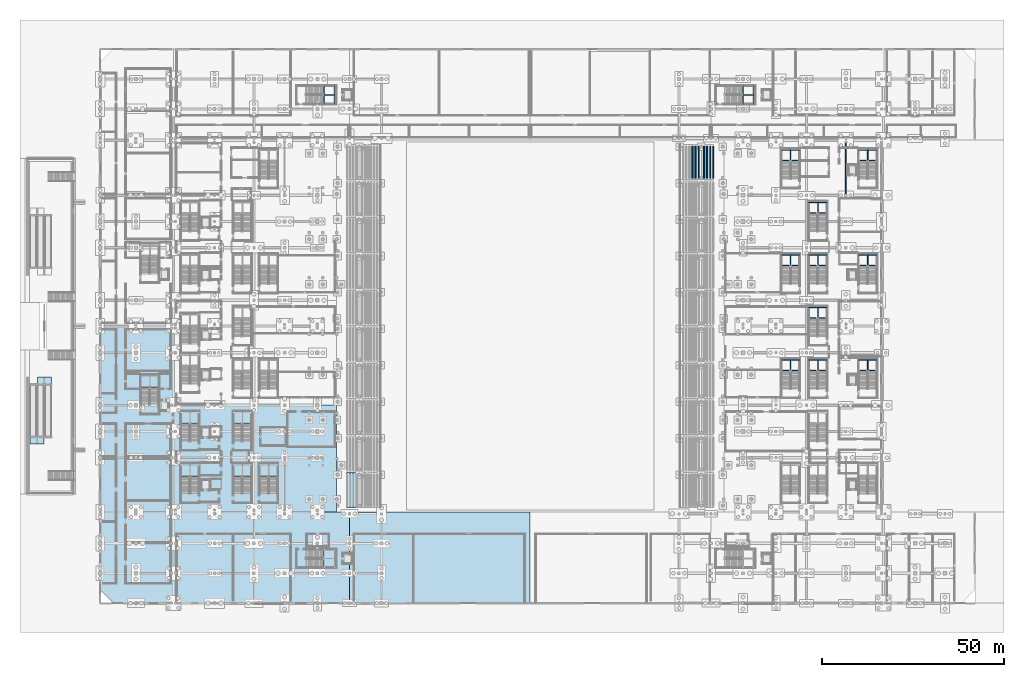
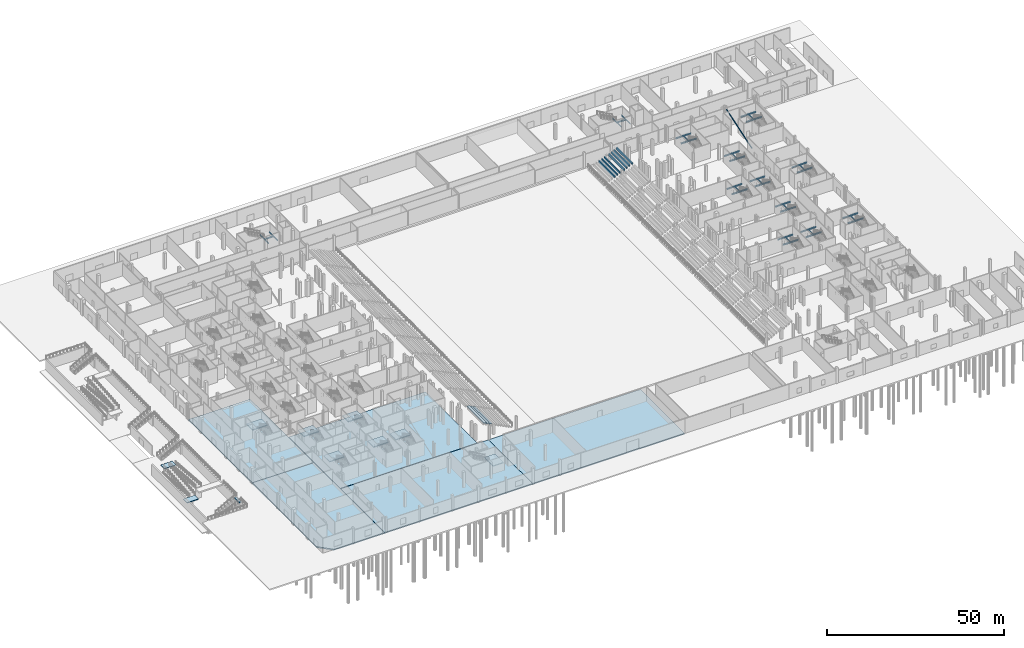
# One storey, part 22 of 89: 43 beams, 18 slabs, 1 member, 9 elements without a shape of their own.
"""IFC4 building model written with IfcOpenShell, lengths in metres."""

import ifcopenshell
import ifcopenshell.guid

model = None  # the IFC model being written
_history = None  # IfcOwnerHistory: only IFC2X3 demands one
_inside = {}  # id of a spatial element -> (the spatial element, [elements in it])
_under = {}  # id of a project, library or spatial element -> (it, [spatial elements below it])
_declared = {}  # id of a project -> (the project, [libraries it declares])
_typed = {}  # id of a type object -> (the type object, [elements of that type])
_made_of = {}  # id of a material, layer set ... -> (it, [elements and type objects made of it])


def new_model(schema):
    """Start an empty IFC model of exactly this schema.

    Asked for "IFC4X3", IfcOpenShell would pick the latest addendum, in which some entities
    have other attributes; the version numbers below select the first issue.
    IFC2X3 requires an IfcOwnerHistory on every rooted entity: one is made here for all.
    """
    global model, _history
    if schema == "IFC4X3":
        model = ifcopenshell.file(schema_version=(4, 3, 0, 0))
    else:
        model = ifcopenshell.file(schema=schema)
    _inside.clear()
    _under.clear()
    _declared.clear()
    _typed.clear()
    _made_of.clear()
    _history = None
    if model.schema == "IFC2X3":
        org = make("IfcOrganization", Name="unknown")
        user = make(
            "IfcPersonAndOrganization",
            ThePerson=make("IfcPerson", FamilyName="unknown"),
            TheOrganization=org,
        )
        app = make(
            "IfcApplication",
            ApplicationDeveloper=org,
            Version="unknown",
            ApplicationFullName="unknown",
            ApplicationIdentifier="unknown",
        )
        _history = make(
            "IfcOwnerHistory",
            OwningUser=user,
            OwningApplication=app,
            ChangeAction="ADDED",
            CreationDate=0,
        )
    return model


def make(cls, **values):
    """One entity of the class cls with the attributes given. An attribute that is None is left unset."""
    return model.create_entity(
        cls, **{name: value for name, value in values.items() if value is not None}
    )


def rooted(cls, **values):
    """An entity with a GlobalId (a new one), such as an element, a storey or a relation."""
    return make(cls, GlobalId=ifcopenshell.guid.new(), OwnerHistory=_history, **values)


def si_unit(unit_type, name, prefix=None):
    """IfcSIUnit, for example si_unit("LENGTHUNIT", "METRE", prefix="MILLI")."""
    return make("IfcSIUnit", UnitType=unit_type, Prefix=prefix, Name=name)


def assignment(units):
    """IfcUnitAssignment: the units of a project."""
    return None if units is None else make("IfcUnitAssignment", Units=units)


def point(xyz):
    """IfcCartesianPoint."""
    return None if xyz is None else make("IfcCartesianPoint", Coordinates=xyz)


def direction(xyz):
    """IfcDirection."""
    return None if xyz is None else make("IfcDirection", DirectionRatios=xyz)


def frame(location, z_axis=None, x_axis=None):
    """IfcAxis2Placement3D, a coordinate frame: its origin and axes. An axis left out is left unset."""
    return make(
        "IfcAxis2Placement3D",
        Location=point(location),
        Axis=direction(z_axis),
        RefDirection=direction(x_axis),
    )


def frame_2d(location, x_axis=None):
    """IfcAxis2Placement2D, a coordinate frame in the plane: its origin and x axis."""
    return make(
        "IfcAxis2Placement2D", Location=point(location), RefDirection=direction(x_axis)
    )


def origin():
    """The frame at (0, 0, 0) with its axes left unset."""
    return frame((0.0, 0.0, 0.0))


def origin_2d():
    """The frame at (0, 0) in the plane with its x axis left unset."""
    return frame_2d((0.0, 0.0))


def place(relative_to, where):
    """IfcLocalPlacement: puts the frame where relative to a parent placement (None: the world)."""
    return make(
        "IfcLocalPlacement", PlacementRelTo=relative_to, RelativePlacement=where
    )


def context(
    kind, dimensions, precision=None, world=None, true_north=None, identifier=None
):
    """IfcGeometricRepresentationContext, for example the 3D "Model" context."""
    return make(
        "IfcGeometricRepresentationContext",
        ContextIdentifier=identifier,
        ContextType=kind,
        CoordinateSpaceDimension=dimensions,
        Precision=precision,
        WorldCoordinateSystem=world,
        TrueNorth=true_north,
    )


def subcontext(parent, identifier, kind, view, scale=None):
    """IfcGeometricRepresentationSubContext, for example "Body" below "Model"."""
    return make(
        "IfcGeometricRepresentationSubContext",
        ContextIdentifier=identifier,
        ContextType=kind,
        ParentContext=parent,
        TargetScale=scale,
        TargetView=view,
    )


def project(units=None, contexts=None):
    """IfcProject with its units and contexts."""
    return rooted(
        "IfcProject",
        Name="project",
        RepresentationContexts=contexts,
        UnitsInContext=assignment(units),
    )


def spatial(cls, under=None, at=None, **own):
    """A site, building, storey or space (cls), placed at a placement, below another one or the project."""
    s = rooted(cls, ObjectPlacement=at, **own)
    if under is not None:
        _under.setdefault(under.id(), (under, []))[1].append(s)
    return s


def polyline(points):
    """IfcPolyline through the points."""
    return make("IfcPolyline", Points=[point(p) for p in points])


def profile(cls, at=None, kind="AREA", **sizes):
    """A parametric profile (cls). Its sizes go by their IFC names, for example OverallWidth=200.0."""
    return make(cls, ProfileType=kind, Position=at, **sizes)


def rectangle(**sizes):
    """IfcRectangleProfileDef."""
    return profile("IfcRectangleProfileDef", **sizes)


def hollow_rectangle(**sizes):
    """IfcRectangleHollowProfileDef."""
    return profile("IfcRectangleHollowProfileDef", **sizes)


def i_section(**sizes):
    """IfcIShapeProfileDef."""
    return profile("IfcIShapeProfileDef", **sizes)


def outline(outer, holes=None, kind="AREA"):
    """IfcArbitraryClosedProfileDef: a profile drawn as a closed curve; with holes, ...WithVoids."""
    if holes is None:
        return make("IfcArbitraryClosedProfileDef", ProfileType=kind, OuterCurve=outer)
    return make(
        "IfcArbitraryProfileDefWithVoids",
        ProfileType=kind,
        OuterCurve=outer,
        InnerCurves=holes,
    )


def extrude(swept, where, along, depth):
    """IfcExtrudedAreaSolid: the profile swept, set in the frame where, extruded along a direction by depth."""
    return make(
        "IfcExtrudedAreaSolid",
        SweptArea=swept,
        Position=where,
        ExtrudedDirection=direction(along),
        Depth=depth,
    )


def shape(context_of_items, identifier, shape_type, items):
    """IfcShapeRepresentation: the items that make up one representation, for example the "Body"."""
    return make(
        "IfcShapeRepresentation",
        ContextOfItems=context_of_items,
        RepresentationIdentifier=identifier,
        RepresentationType=shape_type,
        Items=items,
    )


def material(Name=None, Category=None):
    """IfcMaterial."""
    return make("IfcMaterial", Name=Name, Category=Category)


def layer(
    of_material, thickness, ventilated=None, Name=None, Category=None, Priority=None
):
    """IfcMaterialLayer: one layer of a wall or slab, of a material (None: an air gap)."""
    return make(
        "IfcMaterialLayer",
        Material=of_material,
        LayerThickness=thickness,
        IsVentilated=ventilated,
        Name=Name,
        Category=Category,
        Priority=Priority,
    )


def layer_set(layers, Name=None):
    """IfcMaterialLayerSet."""
    return make("IfcMaterialLayerSet", MaterialLayers=layers, LayerSetName=Name)


def material_profile(
    of_material, cross_section, Name=None, Category=None, Priority=None
):
    """IfcMaterialProfile: a cross section and its material."""
    return make(
        "IfcMaterialProfile",
        Name=Name,
        Material=of_material,
        Profile=cross_section,
        Priority=Priority,
        Category=Category,
    )


def profile_set(profiles, Name=None, composite=None):
    """IfcMaterialProfileSet."""
    return make(
        "IfcMaterialProfileSet",
        Name=Name,
        MaterialProfiles=profiles,
        CompositeProfile=composite,
    )


def made_of(thing, what):
    """Note that an element or type object is made of a material, layer set ...; save() writes the relation."""
    if what is not None:
        _made_of.setdefault(what.id(), (what, []))[1].append(thing)
    return thing


def type_object(cls, material=None, **own):
    """A type object (cls), such as IfcWallType, which elements share."""
    return made_of(rooted(cls, **own), material)


def element(
    cls,
    number,
    at=None,
    inside=None,
    cuts=None,
    type_object=None,
    material=None,
    context=None,
    identifier="Body",
    shape_type=None,
    held_by="IfcProductDefinitionShape",
    body=None,
    shapes=None,
    **own,
):
    """One element of the class cls, such as IfcWall. Its Tag is "e" and its number.

    at: its placement. inside: the storey or other place that contains it. cuts: it is an
    opening in that element (IfcRelVoidsElement). A single representation is given by context,
    identifier, shape_type and body (its items); several are given by shapes. held_by: the class
    of the entity that holds the representations. save() writes the other relations.
    """
    e = rooted(cls, Tag="e%d" % number, ObjectPlacement=at, **own)
    if body is not None:
        shapes = [shape(context, identifier, shape_type, body)]
    if shapes is not None:
        e.Representation = make(held_by, Representations=shapes)
    if inside is not None:
        _inside.setdefault(inside.id(), (inside, []))[1].append(e)
    if cuts is not None:
        rooted(
            "IfcRelVoidsElement", RelatingBuildingElement=cuts, RelatedOpeningElement=e
        )
    if type_object is not None:
        _typed.setdefault(type_object.id(), (type_object, []))[1].append(e)
    return made_of(e, material)


def aggregate(whole, parts):
    """IfcRelAggregates: a whole, such as a stair, and the parts it consists of."""
    return rooted("IfcRelAggregates", RelatingObject=whole, RelatedObjects=parts)


def save(model, path):
    """Write the relations noted so far, then the file.

    IfcRelAggregates (storeys below a building ...), IfcRelContainedInSpatialStructure (elements
    in a storey), IfcRelDefinesByType, IfcRelAssociatesMaterial and IfcRelDeclares: one each for
    every whole, place, type object, material and project.
    """
    for whole, parts in _under.values():
        aggregate(whole, parts)
    for where, things in _inside.values():
        rooted(
            "IfcRelContainedInSpatialStructure",
            RelatedElements=things,
            RelatingStructure=where,
        )
    for kind, things in _typed.values():
        rooted("IfcRelDefinesByType", RelatedObjects=things, RelatingType=kind)
    for what, things in _made_of.values():
        rooted("IfcRelAssociatesMaterial", RelatedObjects=things, RelatingMaterial=what)
    for by, libraries in _declared.values():
        rooted("IfcRelDeclares", RelatingContext=by, RelatedDefinitions=libraries)
    model.write(path)


model = new_model("IFC4")

# Units and contexts
model_context = context("Model", 3, precision=1e-05, world=origin(), true_north=direction((0.0, 1.0)))
body_context = subcontext(model_context, "Body", "Model", "MODEL_VIEW")
ifc_project = project(units=[si_unit("LENGTHUNIT", "METRE"), si_unit("AREAUNIT", "SQUARE_METRE"), si_unit("VOLUMEUNIT", "CUBIC_METRE"), si_unit("PLANEANGLEUNIT", "RADIAN"), si_unit("MASSUNIT", "GRAM", prefix="KILO")], contexts=[model_context])

# Site, building, storey
site_placement = place(None, origin())
site = spatial("IfcSite", under=ifc_project, at=site_placement, CompositionType="ELEMENT")
building_placement = place(site_placement, origin())
building = spatial("IfcBuilding", under=site, at=building_placement, Name="Koshinbarg Plaza Stadium", CompositionType="ELEMENT")
storey_placement = place(building_placement, origin())
storey = spatial("IfcBuildingStorey", under=building, at=storey_placement, Name="L00", CompositionType="ELEMENT", Elevation=0.0)

# Beams
ifc_material_1 = material(Name="Concrete C40/50", Category="concrete")
ifc_material_profile_1 = material_profile(ifc_material_1, rectangle(XDim=0.35009765625, YDim=0.60009765625, at=origin_2d()), Name="RC 350x600")
ifc_profile_set_1 = profile_set([ifc_material_profile_1], Name="Concrete C40/50")
beam_type_1 = type_object("IfcBeamType", Name="BM-RCG-01", PredefinedType="SPANDREL", material=ifc_profile_set_1)
for number, where, z_axis, x_axis, name in (
    (1, (166.52001953125, 116.60009765625, 2.179931640625), (0.0, 1.0, 0.0), (-1.0, 0.0, 0.0), "Lower tier seat bearer LT-E10-R05"),
    (2, (167.3701171875, 116.60009765625, 2.60009765625), (0.0, 1.0, 0.0), (-1.0, 0.0, 0.0), "Lower tier seat bearer LT-E10-R06"),
    (3, (168.219970703125, 116.60009765625, 3.02001953125), (0.0, 1.0, 0.0), (-1.0, 0.0, 0.0), "Lower tier seat bearer LT-E10-R07"),
    (4, (169.679931640625, 116.60009765625, 3.43994140625), (0.0, 1.0, 0.0), (-1.0, 0.0, 0.0), "Lower tier seat bearer LT-E10-R08"),
    (5, (170.530029296875, 116.60009765625, 3.860107421875), (0.0, 1.0, 0.0), (-1.0, 0.0, 0.0), "Lower tier seat bearer LT-E10-R09"),
    (6, (171.3798828125, 116.60009765625, 4.280029296875), (0.0, 1.0, 0.0), (-1.0, 0.0, 0.0), "Lower tier seat bearer LT-E10-R10"),
    (7, (172.22998046875, 116.60009765625, 4.699951171875), (0.0, 1.0, 0.0), (-1.0, 0.0, 0.0), "Lower tier seat bearer LT-E10-R11"),
):
    element("IfcBeam", number, at=place(storey_placement, frame(where, z_axis=z_axis, x_axis=x_axis)), inside=storey, type_object=beam_type_1, Name=name, PredefinedType="SPANDREL", context=body_context, shape_type="SweptSolid", body=[
        extrude(rectangle(XDim=0.35009765625, YDim=0.60009765625, at=origin_2d()), origin(), (0.0, 0.0, 1.0), 8.7998046875),
    ])
ifc_material_2 = material(Name="Steel S355", Category="steel")
ifc_material_profile_2 = material_profile(ifc_material_2, i_section(OverallWidth=0.179931640625, OverallDepth=0.39990234375, WebThickness=0.008544921875, FlangeThickness=0.013427734375, at=origin_2d()), Name="IPE 400")
ifc_profile_set_2 = profile_set([ifc_material_profile_2], Name="Steel S355")
beam_type_2 = type_object("IfcBeamType", Name="BM-SBM-01", PredefinedType="BEAM", material=ifc_profile_set_2)
for number, where, z_axis, x_axis, name in (
    (8, (212.14990234375, 63.81005859375, 2.179931640625), (1.0, 0.0, 0.0), (0.0, 1.0, 0.0), "L00 Protected Exit Stair C08 landing trimmer beam 1"),
    (9, (212.14990234375, 66.75, 2.179931640625), (1.0, 0.0, 0.0), (0.0, 1.0, 0.0), "L00 Protected Exit Stair C08 landing trimmer beam 2"),
):
    element("IfcBeam", number, at=place(storey_placement, frame(where, z_axis=z_axis, x_axis=x_axis)), inside=storey, type_object=beam_type_2, Name=name, PredefinedType="BEAM", context=body_context, shape_type="SweptSolid", body=[
        extrude(i_section(OverallWidth=0.179931640625, OverallDepth=0.39990234375, WebThickness=0.008544921875, FlangeThickness=0.013427734375, at=origin_2d()), origin(), (0.0, 0.0, 1.0), 4.97021484375),
    ])
beam_1_placement = place(storey_placement, frame((214.635009765625, 63.81005859375, 2.179931640625), z_axis=(0.0, 1.0, 0.0), x_axis=(-1.0, 0.0, 0.0)))
element("IfcBeam", 10, at=beam_1_placement, inside=storey, type_object=beam_type_2, Name="L00 Protected Exit Stair C08 landing trimmer beam 3", PredefinedType="BEAM", context=body_context, shape_type="SweptSolid", body=[
    extrude(i_section(OverallWidth=0.179931640625, OverallDepth=0.39990234375, WebThickness=0.008544921875, FlangeThickness=0.013427734375, at=origin_2d()), origin(), (0.0, 0.0, 1.0), 2.93994140625),
])
for number, where, z_axis, x_axis, name in (
    (11, (212.14990234375, 92.610107421875, 2.179931640625), (1.0, 0.0, 0.0), (0.0, 1.0, 0.0), "L00 Protected Exit Stair C09 landing trimmer beam 1"),
    (12, (212.14990234375, 95.550048828125, 2.179931640625), (1.0, 0.0, 0.0), (0.0, 1.0, 0.0), "L00 Protected Exit Stair C09 landing trimmer beam 2"),
):
    element("IfcBeam", number, at=place(storey_placement, frame(where, z_axis=z_axis, x_axis=x_axis)), inside=storey, type_object=beam_type_2, Name=name, PredefinedType="BEAM", context=body_context, shape_type="SweptSolid", body=[
        extrude(i_section(OverallWidth=0.179931640625, OverallDepth=0.39990234375, WebThickness=0.008544921875, FlangeThickness=0.013427734375, at=origin_2d()), origin(), (0.0, 0.0, 1.0), 4.97021484375),
    ])
beam_2_placement = place(storey_placement, frame((214.635009765625, 92.610107421875, 2.179931640625), z_axis=(0.0, 1.0, 0.0), x_axis=(-1.0, 0.0, 0.0)))
element("IfcBeam", 13, at=beam_2_placement, inside=storey, type_object=beam_type_2, Name="L00 Protected Exit Stair C09 landing trimmer beam 3", PredefinedType="BEAM", context=body_context, shape_type="SweptSolid", body=[
    extrude(i_section(OverallWidth=0.179931640625, OverallDepth=0.39990234375, WebThickness=0.008544921875, FlangeThickness=0.013427734375, at=origin_2d()), origin(), (0.0, 0.0, 1.0), 2.93994140625),
])
for number, where, z_axis, x_axis, name in (
    (14, (212.14990234375, 121.409912109375, 2.179931640625), (1.0, 0.0, 0.0), (0.0, 1.0, 0.0), "L00 Protected Exit Stair C10 landing trimmer beam 1"),
    (15, (212.14990234375, 124.35009765625, 2.179931640625), (1.0, 0.0, 0.0), (0.0, 1.0, 0.0), "L00 Protected Exit Stair C10 landing trimmer beam 2"),
):
    element("IfcBeam", number, at=place(storey_placement, frame(where, z_axis=z_axis, x_axis=x_axis)), inside=storey, type_object=beam_type_2, Name=name, PredefinedType="BEAM", context=body_context, shape_type="SweptSolid", body=[
        extrude(i_section(OverallWidth=0.179931640625, OverallDepth=0.39990234375, WebThickness=0.008544921875, FlangeThickness=0.013427734375, at=origin_2d()), origin(), (0.0, 0.0, 1.0), 4.97021484375),
    ])
beam_3_placement = place(storey_placement, frame((214.635009765625, 121.409912109375, 2.179931640625), z_axis=(0.0, 1.0, 0.0), x_axis=(-1.0, 0.0, 0.0)))
element("IfcBeam", 16, at=beam_3_placement, inside=storey, type_object=beam_type_2, Name="L00 Protected Exit Stair C10 landing trimmer beam 3", PredefinedType="BEAM", context=body_context, shape_type="SweptSolid", body=[
    extrude(i_section(OverallWidth=0.179931640625, OverallDepth=0.39990234375, WebThickness=0.008544921875, FlangeThickness=0.013427734375, at=origin_2d()), origin(), (0.0, 0.0, 1.0), 2.940185546875),
])
for number, where, z_axis, x_axis, name in (
    (17, (65.409912109375, 136.949951171875, 2.179931640625), (0.0, 1.0, 0.0), (-1.0, 0.0, 0.0), "L00 Protected Exit Stair C11 landing trimmer beam 1"),
    (18, (68.35009765625, 136.949951171875, 2.179931640625), (0.0, 1.0, 0.0), (-1.0, 0.0, 0.0), "L00 Protected Exit Stair C11 landing trimmer beam 2"),
):
    element("IfcBeam", number, at=place(storey_placement, frame(where, z_axis=z_axis, x_axis=x_axis)), inside=storey, type_object=beam_type_2, Name=name, PredefinedType="BEAM", context=body_context, shape_type="SweptSolid", body=[
        extrude(i_section(OverallWidth=0.179931640625, OverallDepth=0.39990234375, WebThickness=0.008544921875, FlangeThickness=0.013427734375, at=origin_2d()), origin(), (0.0, 0.0, 1.0), 4.969970703125),
    ])
beam_4_placement = place(storey_placement, frame((65.409912109375, 139.43505859375, 2.179931640625), z_axis=(1.0, 0.0, 0.0), x_axis=(0.0, 1.0, 0.0)))
element("IfcBeam", 19, at=beam_4_placement, inside=storey, type_object=beam_type_2, Name="L00 Protected Exit Stair C11 landing trimmer beam 3", PredefinedType="BEAM", context=body_context, shape_type="SweptSolid", body=[
    extrude(i_section(OverallWidth=0.179931640625, OverallDepth=0.39990234375, WebThickness=0.008544921875, FlangeThickness=0.013427734375, at=origin_2d()), origin(), (0.0, 0.0, 1.0), 2.940185546875),
])
for number, where, z_axis, x_axis, name in (
    (20, (180.409912109375, 136.949951171875, 2.179931640625), (0.0, 1.0, 0.0), (-1.0, 0.0, 0.0), "L00 Protected Exit Stair C12 landing trimmer beam 1"),
    (21, (183.35009765625, 136.949951171875, 2.179931640625), (0.0, 1.0, 0.0), (-1.0, 0.0, 0.0), "L00 Protected Exit Stair C12 landing trimmer beam 2"),
):
    element("IfcBeam", number, at=place(storey_placement, frame(where, z_axis=z_axis, x_axis=x_axis)), inside=storey, type_object=beam_type_2, Name=name, PredefinedType="BEAM", context=body_context, shape_type="SweptSolid", body=[
        extrude(i_section(OverallWidth=0.179931640625, OverallDepth=0.39990234375, WebThickness=0.008544921875, FlangeThickness=0.013427734375, at=origin_2d()), origin(), (0.0, 0.0, 1.0), 4.969970703125),
    ])
beam_5_placement = place(storey_placement, frame((180.409912109375, 139.43505859375, 2.179931640625), z_axis=(1.0, 0.0, 0.0), x_axis=(0.0, 1.0, 0.0)))
element("IfcBeam", 22, at=beam_5_placement, inside=storey, type_object=beam_type_2, Name="L00 Protected Exit Stair C12 landing trimmer beam 3", PredefinedType="BEAM", context=body_context, shape_type="SweptSolid", body=[
    extrude(i_section(OverallWidth=0.179931640625, OverallDepth=0.39990234375, WebThickness=0.008544921875, FlangeThickness=0.013427734375, at=origin_2d()), origin(), (0.0, 0.0, 1.0), 2.940185546875),
])
for number, where, z_axis, x_axis, name in (
    (23, (198.449951171875, 63.81005859375, 2.179931640625), (1.0, 0.0, 0.0), (0.0, 1.0, 0.0), "L00 Upper Vomitory Stair VX09 landing trimmer beam 1"),
    (24, (198.449951171875, 66.75, 2.179931640625), (1.0, 0.0, 0.0), (0.0, 1.0, 0.0), "L00 Upper Vomitory Stair VX09 landing trimmer beam 2"),
):
    element("IfcBeam", number, at=place(storey_placement, frame(where, z_axis=z_axis, x_axis=x_axis)), inside=storey, type_object=beam_type_2, Name=name, PredefinedType="BEAM", context=body_context, shape_type="SweptSolid", body=[
        extrude(i_section(OverallWidth=0.179931640625, OverallDepth=0.39990234375, WebThickness=0.008544921875, FlangeThickness=0.013427734375, at=origin_2d()), origin(), (0.0, 0.0, 1.0), 4.969970703125),
    ])
beam_6_placement = place(storey_placement, frame((200.93505859375, 63.81005859375, 2.179931640625), z_axis=(0.0, 1.0, 0.0), x_axis=(-1.0, 0.0, 0.0)))
element("IfcBeam", 25, at=beam_6_placement, inside=storey, type_object=beam_type_2, Name="L00 Upper Vomitory Stair VX09 landing trimmer beam 3", PredefinedType="BEAM", context=body_context, shape_type="SweptSolid", body=[
    extrude(i_section(OverallWidth=0.179931640625, OverallDepth=0.39990234375, WebThickness=0.008544921875, FlangeThickness=0.013427734375, at=origin_2d()), origin(), (0.0, 0.0, 1.0), 2.93994140625),
])
for number, where, z_axis, x_axis, name in (
    (26, (198.449951171875, 78.2099609375, 2.179931640625), (1.0, 0.0, 0.0), (0.0, 1.0, 0.0), "L00 Upper Vomitory Stair VX10 landing trimmer beam 1"),
    (27, (198.449951171875, 81.14990234375, 2.179931640625), (1.0, 0.0, 0.0), (0.0, 1.0, 0.0), "L00 Upper Vomitory Stair VX10 landing trimmer beam 2"),
):
    element("IfcBeam", number, at=place(storey_placement, frame(where, z_axis=z_axis, x_axis=x_axis)), inside=storey, type_object=beam_type_2, Name=name, PredefinedType="BEAM", context=body_context, shape_type="SweptSolid", body=[
        extrude(i_section(OverallWidth=0.179931640625, OverallDepth=0.39990234375, WebThickness=0.008544921875, FlangeThickness=0.013427734375, at=origin_2d()), origin(), (0.0, 0.0, 1.0), 4.969970703125),
    ])
beam_7_placement = place(storey_placement, frame((200.93505859375, 78.2099609375, 2.179931640625), z_axis=(0.0, 1.0, 0.0), x_axis=(-1.0, 0.0, 0.0)))
element("IfcBeam", 28, at=beam_7_placement, inside=storey, type_object=beam_type_2, Name="L00 Upper Vomitory Stair VX10 landing trimmer beam 3", PredefinedType="BEAM", context=body_context, shape_type="SweptSolid", body=[
    extrude(i_section(OverallWidth=0.179931640625, OverallDepth=0.39990234375, WebThickness=0.008544921875, FlangeThickness=0.013427734375, at=origin_2d()), origin(), (0.0, 0.0, 1.0), 2.93994140625),
])
for number, where, z_axis, x_axis, name in (
    (29, (198.449951171875, 92.610107421875, 2.179931640625), (1.0, 0.0, 0.0), (0.0, 1.0, 0.0), "L00 Upper Vomitory Stair VX11 landing trimmer beam 1"),
    (30, (198.449951171875, 95.550048828125, 2.179931640625), (1.0, 0.0, 0.0), (0.0, 1.0, 0.0), "L00 Upper Vomitory Stair VX11 landing trimmer beam 2"),
):
    element("IfcBeam", number, at=place(storey_placement, frame(where, z_axis=z_axis, x_axis=x_axis)), inside=storey, type_object=beam_type_2, Name=name, PredefinedType="BEAM", context=body_context, shape_type="SweptSolid", body=[
        extrude(i_section(OverallWidth=0.179931640625, OverallDepth=0.39990234375, WebThickness=0.008544921875, FlangeThickness=0.013427734375, at=origin_2d()), origin(), (0.0, 0.0, 1.0), 4.969970703125),
    ])
beam_8_placement = place(storey_placement, frame((200.93505859375, 92.610107421875, 2.179931640625), z_axis=(0.0, 1.0, 0.0), x_axis=(-1.0, 0.0, 0.0)))
element("IfcBeam", 31, at=beam_8_placement, inside=storey, type_object=beam_type_2, Name="L00 Upper Vomitory Stair VX11 landing trimmer beam 3", PredefinedType="BEAM", context=body_context, shape_type="SweptSolid", body=[
    extrude(i_section(OverallWidth=0.179931640625, OverallDepth=0.39990234375, WebThickness=0.008544921875, FlangeThickness=0.013427734375, at=origin_2d()), origin(), (0.0, 0.0, 1.0), 2.93994140625),
])
for number, where, z_axis, x_axis, name in (
    (32, (198.449951171875, 107.010009765625, 2.179931640625), (1.0, 0.0, 0.0), (0.0, 1.0, 0.0), "L00 Upper Vomitory Stair VX12 landing trimmer beam 1"),
    (33, (198.449951171875, 109.949951171875, 2.179931640625), (1.0, 0.0, 0.0), (0.0, 1.0, 0.0), "L00 Upper Vomitory Stair VX12 landing trimmer beam 2"),
):
    element("IfcBeam", number, at=place(storey_placement, frame(where, z_axis=z_axis, x_axis=x_axis)), inside=storey, type_object=beam_type_2, Name=name, PredefinedType="BEAM", context=body_context, shape_type="SweptSolid", body=[
        extrude(i_section(OverallWidth=0.179931640625, OverallDepth=0.39990234375, WebThickness=0.008544921875, FlangeThickness=0.013427734375, at=origin_2d()), origin(), (0.0, 0.0, 1.0), 4.969970703125),
    ])
beam_9_placement = place(storey_placement, frame((200.93505859375, 107.010009765625, 2.179931640625), z_axis=(0.0, 1.0, 0.0), x_axis=(-1.0, 0.0, 0.0)))
element("IfcBeam", 34, at=beam_9_placement, inside=storey, type_object=beam_type_2, Name="L00 Upper Vomitory Stair VX12 landing trimmer beam 3", PredefinedType="BEAM", context=body_context, shape_type="SweptSolid", body=[
    extrude(i_section(OverallWidth=0.179931640625, OverallDepth=0.39990234375, WebThickness=0.008544921875, FlangeThickness=0.013427734375, at=origin_2d()), origin(), (0.0, 0.0, 1.0), 2.93994140625),
])
for number, where, z_axis, x_axis, name in (
    (35, (190.949951171875, 63.81005859375, 2.179931640625), (1.0, 0.0, 0.0), (0.0, 1.0, 0.0), "L00 Lower Vomitory Stair VL06 landing trimmer beam 1"),
    (36, (190.949951171875, 66.75, 2.179931640625), (1.0, 0.0, 0.0), (0.0, 1.0, 0.0), "L00 Lower Vomitory Stair VL06 landing trimmer beam 2"),
):
    element("IfcBeam", number, at=place(storey_placement, frame(where, z_axis=z_axis, x_axis=x_axis)), inside=storey, type_object=beam_type_2, Name=name, PredefinedType="BEAM", context=body_context, shape_type="SweptSolid", body=[
        extrude(i_section(OverallWidth=0.179931640625, OverallDepth=0.39990234375, WebThickness=0.008544921875, FlangeThickness=0.013427734375, at=origin_2d()), origin(), (0.0, 0.0, 1.0), 4.969970703125),
    ])
beam_10_placement = place(storey_placement, frame((193.43505859375, 63.81005859375, 2.179931640625), z_axis=(0.0, 1.0, 0.0), x_axis=(-1.0, 0.0, 0.0)))
element("IfcBeam", 37, at=beam_10_placement, inside=storey, type_object=beam_type_2, Name="L00 Lower Vomitory Stair VL06 landing trimmer beam 3", PredefinedType="BEAM", context=body_context, shape_type="SweptSolid", body=[
    extrude(i_section(OverallWidth=0.179931640625, OverallDepth=0.39990234375, WebThickness=0.008544921875, FlangeThickness=0.013427734375, at=origin_2d()), origin(), (0.0, 0.0, 1.0), 2.93994140625),
])
for number, where, z_axis, x_axis, name in (
    (38, (190.949951171875, 92.610107421875, 2.179931640625), (1.0, 0.0, 0.0), (0.0, 1.0, 0.0), "L00 Lower Vomitory Stair VL07 landing trimmer beam 1"),
    (39, (190.949951171875, 95.550048828125, 2.179931640625), (1.0, 0.0, 0.0), (0.0, 1.0, 0.0), "L00 Lower Vomitory Stair VL07 landing trimmer beam 2"),
):
    element("IfcBeam", number, at=place(storey_placement, frame(where, z_axis=z_axis, x_axis=x_axis)), inside=storey, type_object=beam_type_2, Name=name, PredefinedType="BEAM", context=body_context, shape_type="SweptSolid", body=[
        extrude(i_section(OverallWidth=0.179931640625, OverallDepth=0.39990234375, WebThickness=0.008544921875, FlangeThickness=0.013427734375, at=origin_2d()), origin(), (0.0, 0.0, 1.0), 4.969970703125),
    ])
beam_11_placement = place(storey_placement, frame((193.43505859375, 92.610107421875, 2.179931640625), z_axis=(0.0, 1.0, 0.0), x_axis=(-1.0, 0.0, 0.0)))
element("IfcBeam", 40, at=beam_11_placement, inside=storey, type_object=beam_type_2, Name="L00 Lower Vomitory Stair VL07 landing trimmer beam 3", PredefinedType="BEAM", context=body_context, shape_type="SweptSolid", body=[
    extrude(i_section(OverallWidth=0.179931640625, OverallDepth=0.39990234375, WebThickness=0.008544921875, FlangeThickness=0.013427734375, at=origin_2d()), origin(), (0.0, 0.0, 1.0), 2.93994140625),
])
for number, where, z_axis, x_axis, name in (
    (41, (190.949951171875, 121.409912109375, 2.179931640625), (1.0, 0.0, 0.0), (0.0, 1.0, 0.0), "L00 Lower Vomitory Stair VL08 landing trimmer beam 1"),
    (42, (190.949951171875, 124.35009765625, 2.179931640625), (1.0, 0.0, 0.0), (0.0, 1.0, 0.0), "L00 Lower Vomitory Stair VL08 landing trimmer beam 2"),
):
    element("IfcBeam", number, at=place(storey_placement, frame(where, z_axis=z_axis, x_axis=x_axis)), inside=storey, type_object=beam_type_2, Name=name, PredefinedType="BEAM", context=body_context, shape_type="SweptSolid", body=[
        extrude(i_section(OverallWidth=0.179931640625, OverallDepth=0.39990234375, WebThickness=0.008544921875, FlangeThickness=0.013427734375, at=origin_2d()), origin(), (0.0, 0.0, 1.0), 4.969970703125),
    ])
beam_12_placement = place(storey_placement, frame((193.43505859375, 121.409912109375, 2.179931640625), z_axis=(0.0, 1.0, 0.0), x_axis=(-1.0, 0.0, 0.0)))
element("IfcBeam", 43, at=beam_12_placement, inside=storey, type_object=beam_type_2, Name="L00 Lower Vomitory Stair VL08 landing trimmer beam 3", PredefinedType="BEAM", context=body_context, shape_type="SweptSolid", body=[
    extrude(i_section(OverallWidth=0.179931640625, OverallDepth=0.39990234375, WebThickness=0.008544921875, FlangeThickness=0.013427734375, at=origin_2d()), origin(), (0.0, 0.0, 1.0), 2.940185546875),
])

# Member
ifc_material_profile_3 = material_profile(ifc_material_2, hollow_rectangle(XDim=0.25, YDim=0.25, WallThickness=0.012451171875, at=origin_2d()), Name="SHS 250x250x12.5")
ifc_profile_set_3 = profile_set([ifc_material_profile_3], Name="Steel S355")
member_type = type_object("IfcMemberType", Name="MB-BRACE-05", PredefinedType="BRACE", material=ifc_profile_set_3)
member_placement = place(storey_placement, frame((208.60009765625, 111.97998046875, 0.050048828125), z_axis=(0.0, 0.949925413582, 0.312476732943), x_axis=(-1.0, 0.0, 0.0)))
element("IfcMember", 44, at=member_placement, inside=storey, type_object=member_type, Name="L00 lateral frame brace 4", PredefinedType="BRACE", context=body_context, shape_type="SweptSolid", body=[
    extrude(hollow_rectangle(XDim=0.25, YDim=0.25, WallThickness=0.012451171875, at=origin_2d()), origin(), (0.0, 0.0, 1.0), 15.201171875),
])

# Slabs
ifc_material_3 = material(Name="Concrete C35/45", Category="concrete")
ifc_layer_1 = layer(ifc_material_3, 0.39990234375)
ifc_layer_set_1 = layer_set([ifc_layer_1], Name="Concrete C35/45")
slab_type_1 = type_object("IfcSlabType", Name="SL-BASE-400", PredefinedType="BASESLAB", material=ifc_layer_set_1)
slab_1_placement = place(storey_placement, frame((0.0, 0.0, -0.39990234375)))
element("IfcSlab", 45, at=slab_1_placement, inside=storey, type_object=slab_type_1, Name="L00 V4 structural slab 14", PredefinedType="BASESLAB", context=body_context, shape_type="SweptSolid", body=[
    extrude(outline(polyline([(24.14501953125, 0.0), (72.39990234375, 0.0), (72.39990234375, 24.955078125), (24.14501953125, 24.955078125), (24.14501953125, 0.0)])), origin(), (0.0, 0.0, 1.0), 0.39990234375),
])
slab_2_placement = place(storey_placement, frame((0.0, 0.0, -0.39990234375)))
element("IfcSlab", 46, at=slab_2_placement, inside=storey, type_object=slab_type_1, Name="L00 V4 structural slab 15", PredefinedType="BASESLAB", context=body_context, shape_type="SweptSolid", body=[
    extrude(outline(polyline([(72.39990234375, 0.0), (122.0, 0.0), (122.0, 24.955078125), (72.39990234375, 24.955078125), (72.39990234375, 0.0)])), origin(), (0.0, 0.0, 1.0), 0.39990234375),
])
slab_3_placement = place(storey_placement, frame((0.0, 0.0, -0.39990234375)))
element("IfcSlab", 47, at=slab_3_placement, inside=storey, type_object=slab_type_1, Name="L00 V6 structural slab 21", PredefinedType="BASESLAB", context=body_context, shape_type="SweptSolid", body=[
    extrude(outline(polyline([(7.60009765625, 0.0), (24.054931640625, 0.0), (24.054931640625, 39.89990234375), (4.0, 39.89990234375), (4.0, 3.60009765625), (7.60009765625, 0.0)])), origin(), (0.0, 0.0, 1.0), 0.39990234375),
])
slab_4_placement = place(storey_placement, frame((0.0, 0.0, -0.39990234375)))
element("IfcSlab", 48, at=slab_4_placement, inside=storey, type_object=slab_type_1, Name="L00 V6 structural slab 22", PredefinedType="BASESLAB", context=body_context, shape_type="SweptSolid", body=[
    extrude(outline(polyline([(4.0, 39.89990234375), (24.054931640625, 39.89990234375), (24.054931640625, 75.955078125), (4.0, 75.955078125), (4.0, 39.89990234375)])), origin(), (0.0, 0.0, 1.0), 0.39990234375),
])
slab_5_placement = place(storey_placement, frame((0.0, 0.0, -0.530029296875)))
element("IfcSlab", 49, at=slab_5_placement, inside=storey, type_object=slab_type_1, Name="ST-FC-01 arrival threshold slab", PredefinedType="BASESLAB", context=body_context, shape_type="SweptSolid", body=[
    extrude(outline(polyline([(-3.949951171875, 33.64990234375), (-3.219970703125, 33.64990234375), (-3.219970703125, 36.35009765625), (-3.949951171875, 36.35009765625), (-3.949951171875, 33.64990234375)])), origin(), (0.0, 0.0, 1.0), 0.400146484375),
])
ifc_layer_2 = layer(ifc_material_3, 0.449951171875)
ifc_layer_set_2 = layer_set([ifc_layer_2], Name="Concrete C35/45")
slab_type_2 = type_object("IfcSlabType", Name="SL-BASE-450", PredefinedType="BASESLAB", material=ifc_layer_set_2)
slab_6_placement = place(storey_placement, frame((0.0, 0.0, -0.39990234375)))
element("IfcSlab", 50, at=slab_6_placement, inside=storey, type_object=slab_type_2, Name="L00 V1 structural slab 1", PredefinedType="BASESLAB", context=body_context, shape_type="SweptSolid", body=[
    extrude(outline(polyline([(24.14501953125, 25.044921875), (68.800048828125, 25.044921875), (68.800048828125, 54.300048828125), (24.14501953125, 54.300048828125), (24.14501953125, 25.044921875)])), origin(), (0.0, 0.0, 1.0), 0.39990234375),
])

# Ramp, slab
ramp_type = type_object("IfcRampType", Name="RMP-FORECOURT", PredefinedType="STRAIGHT_RUN_RAMP", material=ifc_material_3)
ramp_1_placement = place(storey_placement, origin())
ramp_1 = element("IfcRamp", 51, at=ramp_1_placement, inside=storey, type_object=ramp_type, Name="Metro forecourt accessible pedestrian ramp RMP-FC-S1", PredefinedType="STRAIGHT_RUN_RAMP")
ifc_layer_3 = layer(ifc_material_3, 0.219970703125)
ifc_layer_set_3 = layer_set([ifc_layer_3], Name="Concrete C35/45")
slab_type_3 = type_object("IfcSlabType", Name="SL-RMPLAND-220", PredefinedType="LANDING", material=ifc_layer_set_3)
slab_7_placement = place(storey_placement, frame((0.0, 0.0, -2.6201171875)))
slab_7 = element("IfcSlab", 52, at=slab_7_placement, type_object=slab_type_3, Name="RMP-FC-S1 level landing", PredefinedType="LANDING", context=body_context, shape_type="SweptSolid", body=[
    extrude(outline(polyline([(-15.199951171875, 43.60009765625), (-11.39990234375, 43.60009765625), (-11.39990234375, 45.75), (-15.199951171875, 45.75), (-15.199951171875, 43.60009765625)])), origin(), (0.0, 0.0, 1.0), 0.22021484375),
])
aggregate(ramp_1, [slab_7])

ramp_2_placement = place(storey_placement, origin())
ramp_2 = element("IfcRamp", 53, at=ramp_2_placement, inside=storey, type_object=ramp_type, Name="Metro forecourt accessible pedestrian ramp RMP-FC-S2", PredefinedType="STRAIGHT_RUN_RAMP")
slab_8_placement = place(storey_placement, frame((0.0, 0.0, -1.419921875)))
slab_8 = element("IfcSlab", 54, at=slab_8_placement, type_object=slab_type_3, Name="RMP-FC-S2 level landing", PredefinedType="LANDING", context=body_context, shape_type="SweptSolid", body=[
    extrude(outline(polyline([(-13.199951171875, 59.85009765625), (-9.39990234375, 59.85009765625), (-9.39990234375, 62.0), (-13.199951171875, 62.0), (-13.199951171875, 59.85009765625)])), origin(), (0.0, 0.0, 1.0), 0.219970703125),
])
aggregate(ramp_2, [slab_8])

# Stair, slab
stair_type_1 = type_object("IfcStairType", Name="ST-CORE-54", PredefinedType="HALF_TURN_STAIR", material=ifc_material_3)
stair_1_placement = place(storey_placement, origin())
stair_1 = element("IfcStair", 55, at=stair_1_placement, inside=storey, type_object=stair_type_1, Name="L00 Protected Exit Stair C01", PredefinedType="HALF_TURN_STAIR")
ifc_layer_4 = layer(ifc_material_3, 0.320068359375)
ifc_layer_set_4 = layer_set([ifc_layer_4], Name="Concrete C35/45")
slab_type_4 = type_object("IfcSlabType", Name="SL-STLAND-280", PredefinedType="LANDING", material=ifc_layer_set_4)
slab_9_placement = place(storey_placement, frame((0.0, 0.0, 2.3798828125)))
slab_9 = element("IfcSlab", 56, at=slab_9_placement, type_object=slab_type_4, Name="L00 Protected Exit Stair C01 landing 001", PredefinedType="LANDING", context=body_context, shape_type="SweptSolid", body=[
    extrude(outline(polyline([(31.070068359375, 34.760009765625), (31.070068359375, 38.199951171875), (26.199951171875, 38.199951171875), (26.199951171875, 34.760009765625), (31.070068359375, 34.760009765625)])), origin(), (0.0, 0.0, 1.0), 0.320068359375),
])
aggregate(stair_1, [slab_9])

stair_2_placement = place(storey_placement, origin())
stair_2 = element("IfcStair", 57, at=stair_2_placement, inside=storey, type_object=stair_type_1, Name="L00 Protected Exit Stair C02", PredefinedType="HALF_TURN_STAIR")
slab_10_placement = place(storey_placement, frame((0.0, 0.0, 2.3798828125)))
slab_10 = element("IfcSlab", 58, at=slab_10_placement, type_object=slab_type_4, Name="L00 Protected Exit Stair C02 landing 007", PredefinedType="LANDING", context=body_context, shape_type="SweptSolid", body=[
    extrude(outline(polyline([(31.070068359375, 49.159912109375), (31.070068359375, 52.60009765625), (26.199951171875, 52.60009765625), (26.199951171875, 49.159912109375), (31.070068359375, 49.159912109375)])), origin(), (0.0, 0.0, 1.0), 0.320068359375),
])
aggregate(stair_2, [slab_10])

stair_3_placement = place(storey_placement, origin())
stair_3 = element("IfcStair", 59, at=stair_3_placement, inside=storey, type_object=stair_type_1, Name="L00 Protected Exit Stair C13", PredefinedType="HALF_TURN_STAIR")
slab_11_placement = place(storey_placement, frame((0.0, 0.0, 2.3798828125)))
slab_11 = element("IfcSlab", 60, at=slab_11_placement, type_object=slab_type_4, Name="L00 Protected Exit Stair C13 landing 063", PredefinedType="LANDING", context=body_context, shape_type="SweptSolid", body=[
    extrude(outline(polyline([(65.159912109375, 9.800048828125), (68.60009765625, 9.800048828125), (68.60009765625, 14.669921875), (65.159912109375, 14.669921875), (65.159912109375, 9.800048828125)])), origin(), (0.0, 0.0, 1.0), 0.320068359375),
])
aggregate(stair_3, [slab_11])

stair_4_placement = place(storey_placement, origin())
stair_4 = element("IfcStair", 61, at=stair_4_placement, inside=storey, type_object=stair_type_1, Name="L00 Protected Exit Stair C16", PredefinedType="HALF_TURN_STAIR")
slab_12_placement = place(storey_placement, frame((0.0, 0.0, 2.3798828125)))
slab_12 = element("IfcSlab", 62, at=slab_12_placement, type_object=slab_type_4, Name="L00 Protected Exit Stair C16 landing 073", PredefinedType="LANDING", context=body_context, shape_type="SweptSolid", body=[
    extrude(outline(polyline([(20.070068359375, 59.159912109375), (20.070068359375, 62.60009765625), (15.199951171875, 62.60009765625), (15.199951171875, 59.159912109375), (20.070068359375, 59.159912109375)])), origin(), (0.0, 0.0, 1.0), 0.320068359375),
])
aggregate(stair_4, [slab_12])

stair_type_2 = type_object("IfcStairType", Name="ST-VOM-54", PredefinedType="HALF_TURN_STAIR", material=ifc_material_3)
stair_5_placement = place(storey_placement, origin())
stair_5 = element("IfcStair", 63, at=stair_5_placement, inside=storey, type_object=stair_type_2, Name="L00 Upper Vomitory Stair VX01", PredefinedType="HALF_TURN_STAIR")
slab_13_placement = place(storey_placement, frame((0.0, 0.0, 2.3798828125)))
slab_13 = element("IfcSlab", 64, at=slab_13_placement, type_object=slab_type_4, Name="L00 Upper Vomitory Stair VX01 landing 075", PredefinedType="LANDING", context=body_context, shape_type="SweptSolid", body=[
    extrude(outline(polyline([(45.469970703125, 34.760009765625), (45.469970703125, 38.199951171875), (40.60009765625, 38.199951171875), (40.60009765625, 34.760009765625), (45.469970703125, 34.760009765625)])), origin(), (0.0, 0.0, 1.0), 0.320068359375),
])
aggregate(stair_5, [slab_13])

stair_6_placement = place(storey_placement, origin())
stair_6 = element("IfcStair", 65, at=stair_6_placement, inside=storey, type_object=stair_type_2, Name="L00 Upper Vomitory Stair VX02", PredefinedType="HALF_TURN_STAIR")
slab_14_placement = place(storey_placement, frame((0.0, 0.0, 2.3798828125)))
slab_14 = element("IfcSlab", 66, at=slab_14_placement, type_object=slab_type_4, Name="L00 Upper Vomitory Stair VX02 landing 078", PredefinedType="LANDING", context=body_context, shape_type="SweptSolid", body=[
    extrude(outline(polyline([(45.469970703125, 49.159912109375), (45.469970703125, 52.60009765625), (40.60009765625, 52.60009765625), (40.60009765625, 49.159912109375), (45.469970703125, 49.159912109375)])), origin(), (0.0, 0.0, 1.0), 0.320068359375),
])
aggregate(stair_6, [slab_14])

stair_7_placement = place(storey_placement, origin())
stair_7 = element("IfcStair", 67, at=stair_7_placement, inside=storey, type_object=stair_type_2, Name="L00 Lower Vomitory Stair VL01", PredefinedType="HALF_TURN_STAIR")
slab_15_placement = place(storey_placement, frame((0.0, 0.0, 2.3798828125)))
slab_15 = element("IfcSlab", 68, at=slab_15_placement, type_object=slab_type_4, Name="L00 Lower Vomitory Stair VL01 landing 111", PredefinedType="LANDING", context=body_context, shape_type="SweptSolid", body=[
    extrude(outline(polyline([(52.669921875, 34.760009765625), (52.669921875, 38.199951171875), (47.800048828125, 38.199951171875), (47.800048828125, 34.760009765625), (52.669921875, 34.760009765625)])), origin(), (0.0, 0.0, 1.0), 0.320068359375),
])
aggregate(stair_7, [slab_15])

# Slabs
ifc_material_4 = material(Name="Precast concrete C40/50", Category="concrete")
ifc_layer_5 = layer(ifc_material_4, 0.219970703125)
ifc_layer_set_5 = layer_set([ifc_layer_5], Name="Precast concrete C40/50")
slab_type_5 = type_object("IfcSlabType", Name="SL-TIER-LT", PredefinedType="USERDEFINED", material=ifc_layer_set_5)
slab_16_placement = place(storey_placement, frame((0.0, 0.0, 4.159912109375)))
element("IfcSlab", 69, at=slab_16_placement, inside=storey, type_object=slab_type_5, Name="Stand lower seating tier LT-W01 row 9", ObjectType="SEATING TIER", PredefinedType="USERDEFINED", context=body_context, shape_type="SweptSolid", body=[
    extrude(outline(polyline([(73.35009765625, 26.199951171875), (74.199951171875, 26.199951171875), (74.199951171875, 35.449951171875), (73.85009765625, 35.800048828125), (73.35009765625, 35.800048828125), (73.35009765625, 26.199951171875)])), origin(), (0.0, 0.0, 1.0), 0.219970703125),
])
slab_17_placement = place(storey_placement, frame((0.0, 0.0, 4.580078125)))
element("IfcSlab", 70, at=slab_17_placement, inside=storey, type_object=slab_type_5, Name="Stand lower seating tier LT-W01 row 10", ObjectType="SEATING TIER", PredefinedType="USERDEFINED", context=body_context, shape_type="SweptSolid", body=[
    extrude(outline(polyline([(72.5, 26.199951171875), (73.35009765625, 26.199951171875), (73.35009765625, 35.800048828125), (72.5, 35.800048828125), (72.5, 26.199951171875)])), origin(), (0.0, 0.0, 1.0), 0.219970703125),
])
slab_18_placement = place(storey_placement, frame((0.0, 0.0, 5.0)))
element("IfcSlab", 71, at=slab_18_placement, inside=storey, type_object=slab_type_5, Name="Stand lower seating tier LT-W01 row 11", ObjectType="SEATING TIER", PredefinedType="USERDEFINED", context=body_context, shape_type="SweptSolid", body=[
    extrude(outline(polyline([(71.64990234375, 26.199951171875), (72.5, 26.199951171875), (72.5, 35.800048828125), (71.64990234375, 35.800048828125), (71.64990234375, 26.199951171875)])), origin(), (0.0, 0.0, 1.0), 0.219970703125),
])

save(model, "model.ifc")
